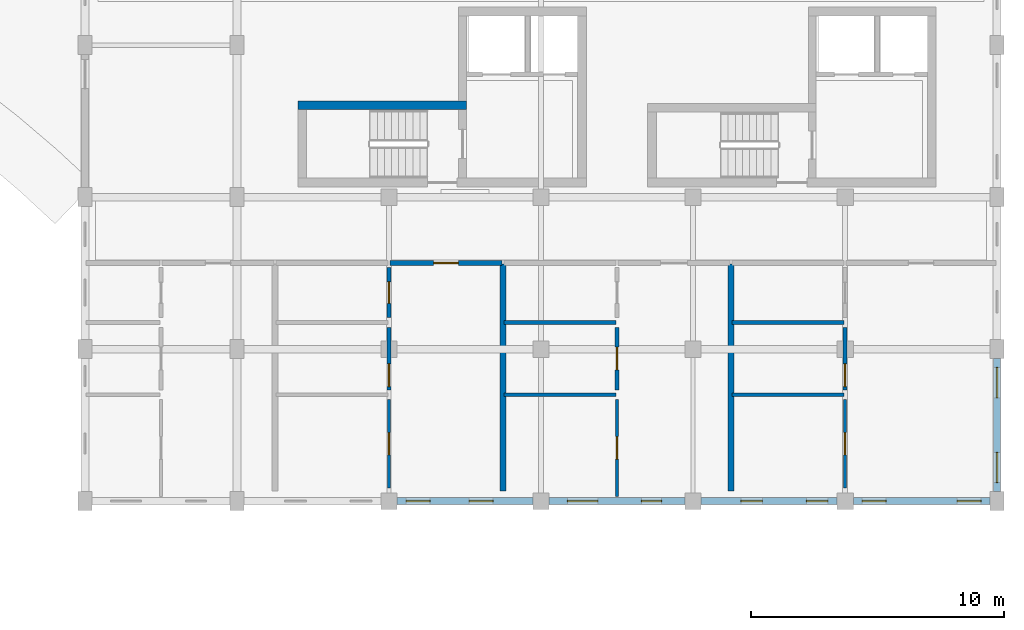
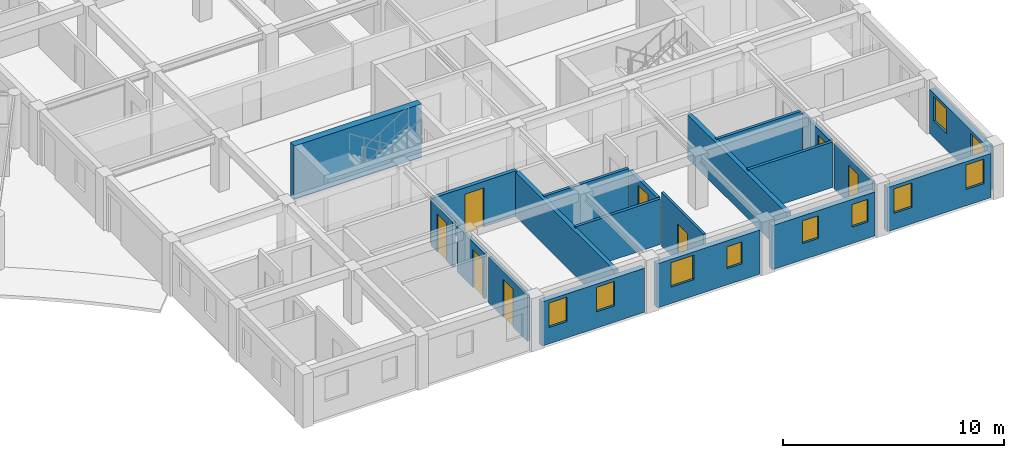
# One storey, part 78 of 100: 20 walls, 10 windows, 8 doors, 18 openings.
"""IFC4 building model written with IfcOpenShell, lengths in metres."""

from ifc_helpers import new_model, si_unit, direction, frame, frame_2d, origin, place, context, subcontext, project, spatial, rectangle, extrude, material, layer, layer_set, type_object, element, fill, save


model = new_model("IFC4")

# Units and contexts
model_context = context("Model", 3, precision=1e-05, world=origin(), true_north=direction((0.0, 1.0)))
body_context = subcontext(model_context, "Body", "Model", "MODEL_VIEW")
ifc_project = project(units=[si_unit("LENGTHUNIT", "METRE"), si_unit("AREAUNIT", "SQUARE_METRE"), si_unit("VOLUMEUNIT", "CUBIC_METRE"), si_unit("PLANEANGLEUNIT", "RADIAN"), si_unit("MASSUNIT", "GRAM", prefix="KILO"), si_unit("POWERUNIT", "WATT"), si_unit("THERMODYNAMICTEMPERATUREUNIT", "KELVIN")], contexts=[model_context])

# Site, building, storey
site_placement = place(None, origin())
site = spatial("IfcSite", under=ifc_project, at=site_placement, CompositionType="ELEMENT")
building_placement = place(site_placement, origin())
building = spatial("IfcBuilding", under=site, at=building_placement, Name="Ruvembo Vaulted Housing Court", CompositionType="ELEMENT")
storey_placement = place(building_placement, frame((0.0, 0.0, 14.10009765625)))
storey = spatial("IfcBuildingStorey", under=building, at=storey_placement, Name="L04", CompositionType="ELEMENT", Elevation=14.10009765625)

# Wall
ifc_material_1 = material(Name="Concrete C35/45", Category="concrete")
ifc_layer_1 = layer(ifc_material_1, 0.35009765625, Name="Concrete C35/45")
ifc_layer_set_1 = layer_set([ifc_layer_1], Name="Concrete C35/45")
wall_type_1 = type_object("IfcWallType", Name="WL-CORE-350", PredefinedType="SHEAR", material=ifc_layer_set_1)
wall_1_placement = place(storey_placement, frame((165.050048828125, 87.625, 0.0), z_axis=(0.0, 0.0, 1.0), x_axis=(-1.0, 0.0, 0.0)))
element("IfcWall", 1, at=wall_1_placement, inside=storey, type_object=wall_type_1, Name="Core D1 L04 Stair North Shear Wall", PredefinedType="SHEAR", context=body_context, shape_type="SweptSolid", body=[
    extrude(rectangle(XDim=6.650146484375, YDim=0.35009765625, at=frame_2d((3.3251953125, 0.0))), origin(), (0.0, 0.0, 1.0), 2.949951171875),
])

# Wall, opening, door
ifc_material_2 = material(Name="Concrete Blockwork 190", Category="masonry")
ifc_layer_2 = layer(ifc_material_2, 0.18994140625, Name="Concrete Blockwork 190")
ifc_layer_set_2 = layer_set([ifc_layer_2], Name="Concrete Blockwork 190")
wall_type_2 = type_object("IfcWallType", Name="WL-CORR-190", PredefinedType="SOLIDWALL", material=ifc_layer_set_2)
wall_2_placement = place(storey_placement, frame((162.0400390625, 81.39990234375, 0.0), z_axis=(0.0, 0.0, 1.0), x_axis=(1.0, 0.0, 0.0)))
wall_2 = element("IfcWall", 2, at=wall_2_placement, inside=storey, type_object=wall_type_2, Name="L04 Flat D-L04-S2 Entrance WL-INT-L04-01247", PredefinedType="SOLIDWALL", context=body_context, shape_type="SweptSolid", body=[
    extrude(rectangle(XDim=4.419921875, YDim=0.18994140625, at=frame_2d((2.2099609375, 0.0))), origin(), (0.0, 0.0, 1.0), 2.5078125),
])
opening_1_placement = place(wall_2_placement, frame((1.719970703125, 0.0, 0.0)))
opening_1 = element("IfcOpeningElement", 3, at=opening_1_placement, cuts=wall_2, Name="Opening FD2", PredefinedType="OPENING", context=body_context, shape_type="SweptSolid", body=[
    extrude(rectangle(XDim=0.97998046875, YDim=2.14990234375, at=frame_2d((0.489990234375, 1.074951171875))), frame((0.0, 0.10498046875, 0.0), z_axis=(0.0, -1.0, 0.0), x_axis=(1.0, 0.0, 0.0)), (0.0, 0.0, 1.0), 0.2099609375),
])
ifc_material_3 = material(Name="FSC Hardwood and Engineered Timber", Category="wood")
door_type_1 = type_object("IfcDoorType", Name="DR-FLAT-0980x2150", OperationType="NOTDEFINED", PredefinedType="DOOR", material=ifc_material_3)
door_1_placement = place(opening_1_placement, origin())
door_1 = element("IfcDoor", 4, at=door_1_placement, inside=storey, type_object=door_type_1, Name="L04 Flat D-L04-S2 Entrance Door DR-INT-L04-00694", OperationType="SINGLE_SWING_RIGHT", OverallHeight=2.14990234375, OverallWidth=0.97998046875, PredefinedType="DOOR", context=body_context, shape_type="SweptSolid", body=[
    extrude(rectangle(XDim=0.97998046875, YDim=2.14990234375, at=frame_2d((0.489990234375, 1.074951171875))), frame((0.0, 0.02490234375, 0.0), z_axis=(0.0, -1.0, 0.0), x_axis=(1.0, 0.0, 0.0)), (0.0, 0.0, 1.0), 0.050048828125),
])
fill(opening_1, door_1)

# Walls
ifc_material_4 = material(Name="Acoustic Masonry Demising 220", Category="masonry")
ifc_layer_3 = layer(ifc_material_4, 0.219970703125, Name="Acoustic Masonry Demising 220")
ifc_layer_set_3 = layer_set([ifc_layer_3], Name="Acoustic Masonry Demising 220")
wall_type_3 = type_object("IfcWallType", Name="WL-DEM-200", PredefinedType="SOLIDWALL", material=ifc_layer_set_3)
for number, where, z_axis, x_axis, name in (
    (5, (166.5, 72.389892578125, 0.0), (0.0, 0.0, 1.0), (0.0, 1.0, 0.0), "L04 Demising D-L04-S2 WL-INT-L04-01245"),
    (6, (175.5, 72.389892578125, 0.0), (0.0, 0.0, 1.0), (0.0, 1.0, 0.0), "L04 Demising D-L04-S3 WL-INT-L04-01253"),
):
    element("IfcWall", number, at=place(storey_placement, frame(where, z_axis=z_axis, x_axis=x_axis)), inside=storey, type_object=wall_type_3, Name=name, PredefinedType="SOLIDWALL", context=body_context, shape_type="SweptSolid", body=[
        extrude(rectangle(XDim=8.97021484375, YDim=0.219970703125, at=frame_2d((4.485107421875, 0.0))), origin(), (0.0, 0.0, 1.0), 2.431884765625),
    ])

# Wall, openings, windows
ifc_material_5 = material(Name="Rendered Masonry 285", Category="masonry")
ifc_layer_4 = layer(ifc_material_5, 0.284912109375, Name="Rendered Masonry 285")
ifc_layer_set_4 = layer_set([ifc_layer_4], Name="Rendered Masonry 285")
wall_type_4 = type_object("IfcWallType", Name="WL-EXT-285", PredefinedType="STANDARD", material=ifc_layer_set_4)
wall_3_placement = place(storey_placement, frame((162.324951171875, 72.0, 0.0), z_axis=(0.0, 0.0, 1.0), x_axis=(1.0, 0.0, 0.0)))
wall_3 = element("IfcWall", 7, at=wall_3_placement, inside=storey, type_object=wall_type_4, Name="Block D L04 Exterior Wall COURTYARD #3", PredefinedType="STANDARD", context=body_context, shape_type="SweptSolid", body=[
    extrude(rectangle(XDim=5.35009765625, YDim=0.284912109375, at=frame_2d((2.675048828125, 0.0))), origin(), (0.0, 0.0, 1.0), 2.431884765625),
])
opening_2_placement = place(wall_3_placement, frame((0.35009765625, 0.0, 0.89990234375)))
opening_2 = element("IfcOpeningElement", 8, at=opening_2_placement, cuts=wall_3, Name="Opening W07", PredefinedType="OPENING", context=body_context, shape_type="SweptSolid", body=[
    extrude(rectangle(XDim=0.949951171875, YDim=1.35009765625, at=frame_2d((0.47509765625, 0.675048828125))), frame((0.0, 0.15234375, 0.0), z_axis=(0.0, -1.0, 0.0), x_axis=(1.0, 0.0, 0.0)), (0.0, 0.0, 1.0), 0.304931640625),
])
opening_3_placement = place(wall_3_placement, frame((2.8349609375, 0.0, 0.89990234375)))
opening_3 = element("IfcOpeningElement", 9, at=opening_3_placement, cuts=wall_3, Name="Opening W07", PredefinedType="OPENING", context=body_context, shape_type="SweptSolid", body=[
    extrude(rectangle(XDim=0.949951171875, YDim=1.35009765625, at=frame_2d((0.47509765625, 0.675048828125))), frame((0.0, 0.15234375, 0.0), z_axis=(0.0, -1.0, 0.0), x_axis=(1.0, 0.0, 0.0)), (0.0, 0.0, 1.0), 0.304931640625),
])
ifc_material_6 = material(Name="Double Solar-Control Glazing in Aluminium Frame", Category="aluminium")
window_type_1 = type_object("IfcWindowType", Name="WIN-0950x1350", PartitioningType="SINGLE_PANEL", PredefinedType="WINDOW", material=ifc_material_6)
window_1_placement = place(opening_2_placement, origin())
window_1 = element("IfcWindow", 10, at=window_1_placement, inside=storey, type_object=window_type_1, Name="Block D L04 Window #1623", OverallHeight=1.35009765625, OverallWidth=0.949951171875, PartitioningType="SINGLE_PANEL", PredefinedType="WINDOW", context=body_context, shape_type="SweptSolid", body=[
    extrude(rectangle(XDim=0.949951171875, YDim=1.35009765625, at=frame_2d((0.47509765625, 0.675048828125))), frame((0.0, 0.030029296875, 0.0), z_axis=(0.0, -1.0, 0.0), x_axis=(1.0, 0.0, 0.0)), (0.0, 0.0, 1.0), 0.06005859375),
])
fill(opening_2, window_1)
window_2_placement = place(opening_3_placement, origin())
window_2 = element("IfcWindow", 11, at=window_2_placement, inside=storey, type_object=window_type_1, Name="Block D L04 Window #1624", OverallHeight=1.35009765625, OverallWidth=0.949951171875, PartitioningType="SINGLE_PANEL", PredefinedType="WINDOW", context=body_context, shape_type="SweptSolid", body=[
    extrude(rectangle(XDim=0.949951171875, YDim=1.35009765625, at=frame_2d((0.47509765625, 0.675048828125))), frame((0.0, 0.030029296875, 0.0), z_axis=(0.0, -1.0, 0.0), x_axis=(1.0, 0.0, 0.0)), (0.0, 0.0, 1.0), 0.06005859375),
])
fill(opening_3, window_2)

wall_4_placement = place(storey_placement, frame((168.324951171875, 72.0, 0.0), z_axis=(0.0, 0.0, 1.0), x_axis=(1.0, 0.0, 0.0)))
wall_4 = element("IfcWall", 12, at=wall_4_placement, inside=storey, type_object=wall_type_4, Name="Block D L04 Exterior Wall COURTYARD #4", PredefinedType="STANDARD", context=body_context, shape_type="SweptSolid", body=[
    extrude(rectangle(XDim=5.35009765625, YDim=0.284912109375, at=frame_2d((2.675048828125, 0.0))), origin(), (0.0, 0.0, 1.0), 2.431884765625),
])
opening_4_placement = place(wall_4_placement, frame((0.717529296875, 0.0, 0.89990234375)))
opening_4 = element("IfcOpeningElement", 13, at=opening_4_placement, cuts=wall_4, Name="Opening W12", PredefinedType="OPENING", context=body_context, shape_type="SweptSolid", body=[
    extrude(rectangle(XDim=1.199951171875, YDim=1.35009765625, at=frame_2d((0.60009765625, 0.675048828125))), frame((0.0, 0.15234375, 0.0), z_axis=(0.0, -1.0, 0.0), x_axis=(1.0, 0.0, 0.0)), (0.0, 0.0, 1.0), 0.304931640625),
])
opening_5_placement = place(wall_4_placement, frame((3.632568359375, 0.0, 0.89990234375)))
opening_5 = element("IfcOpeningElement", 14, at=opening_5_placement, cuts=wall_4, Name="Opening W02", PredefinedType="OPENING", context=body_context, shape_type="SweptSolid", body=[
    extrude(rectangle(XDim=0.800048828125, YDim=1.199951171875, at=frame_2d((0.39990234375, 0.60009765625))), frame((0.0, 0.15234375, 0.0), z_axis=(0.0, -1.0, 0.0), x_axis=(1.0, 0.0, 0.0)), (0.0, 0.0, 1.0), 0.304931640625),
])
window_type_2 = type_object("IfcWindowType", Name="WIN-0800x1200", PartitioningType="SINGLE_PANEL", PredefinedType="WINDOW", material=ifc_material_6)
window_3_placement = place(opening_5_placement, origin())
window_3 = element("IfcWindow", 15, at=window_3_placement, inside=storey, type_object=window_type_2, Name="Block D L04 Window #1626", OverallHeight=1.199951171875, OverallWidth=0.800048828125, PartitioningType="SINGLE_PANEL", PredefinedType="WINDOW", context=body_context, shape_type="SweptSolid", body=[
    extrude(rectangle(XDim=0.800048828125, YDim=1.199951171875, at=frame_2d((0.39990234375, 0.60009765625))), frame((0.0, 0.030029296875, 0.0), z_axis=(0.0, -1.0, 0.0), x_axis=(1.0, 0.0, 0.0)), (0.0, 0.0, 1.0), 0.06005859375),
])
fill(opening_5, window_3)
window_type_3 = type_object("IfcWindowType", Name="WIN-1200x1350", PartitioningType="SINGLE_PANEL", PredefinedType="WINDOW", material=ifc_material_6)
window_4_placement = place(opening_4_placement, origin())
window_4 = element("IfcWindow", 16, at=window_4_placement, inside=storey, type_object=window_type_3, Name="Block D L04 Window #1625", OverallHeight=1.35009765625, OverallWidth=1.199951171875, PartitioningType="SINGLE_PANEL", PredefinedType="WINDOW", context=body_context, shape_type="SweptSolid", body=[
    extrude(rectangle(XDim=1.199951171875, YDim=1.35009765625, at=frame_2d((0.60009765625, 0.675048828125))), frame((0.0, 0.030029296875, 0.0), z_axis=(0.0, -1.0, 0.0), x_axis=(1.0, 0.0, 0.0)), (0.0, 0.0, 1.0), 0.06005859375),
])
fill(opening_4, window_4)

wall_5_placement = place(storey_placement, frame((174.324951171875, 72.0, 0.0), z_axis=(0.0, 0.0, 1.0), x_axis=(1.0, 0.0, 0.0)))
wall_5 = element("IfcWall", 17, at=wall_5_placement, inside=storey, type_object=wall_type_4, Name="Block D L04 Exterior Wall COURTYARD #5", PredefinedType="STANDARD", context=body_context, shape_type="SweptSolid", body=[
    extrude(rectangle(XDim=5.35009765625, YDim=0.284912109375, at=frame_2d((2.675048828125, 0.0))), origin(), (0.0, 0.0, 1.0), 2.431884765625),
])
opening_6_placement = place(wall_5_placement, frame((1.56494140625, 0.0, 0.89990234375)))
opening_6 = element("IfcOpeningElement", 18, at=opening_6_placement, cuts=wall_5, Name="Opening W03", PredefinedType="OPENING", context=body_context, shape_type="SweptSolid", body=[
    extrude(rectangle(XDim=0.85009765625, YDim=1.25, at=frame_2d((0.425048828125, 0.625))), frame((0.0, 0.15234375, 0.0), z_axis=(0.0, -1.0, 0.0), x_axis=(1.0, 0.0, 0.0)), (0.0, 0.0, 1.0), 0.304931640625),
])
opening_7_placement = place(wall_5_placement, frame((4.14990234375, 0.0, 0.89990234375)))
opening_7 = element("IfcOpeningElement", 19, at=opening_7_placement, cuts=wall_5, Name="Opening W03", PredefinedType="OPENING", context=body_context, shape_type="SweptSolid", body=[
    extrude(rectangle(XDim=0.85009765625, YDim=1.25, at=frame_2d((0.425048828125, 0.625))), frame((0.0, 0.15234375, 0.0), z_axis=(0.0, -1.0, 0.0), x_axis=(1.0, 0.0, 0.0)), (0.0, 0.0, 1.0), 0.304931640625),
])
window_type_4 = type_object("IfcWindowType", Name="WIN-0850x1250", PartitioningType="SINGLE_PANEL", PredefinedType="WINDOW", material=ifc_material_6)
window_5_placement = place(opening_6_placement, origin())
window_5 = element("IfcWindow", 20, at=window_5_placement, inside=storey, type_object=window_type_4, Name="Block D L04 Window #1627", OverallHeight=1.25, OverallWidth=0.85009765625, PartitioningType="SINGLE_PANEL", PredefinedType="WINDOW", context=body_context, shape_type="SweptSolid", body=[
    extrude(rectangle(XDim=0.85009765625, YDim=1.25, at=frame_2d((0.425048828125, 0.625))), frame((0.0, 0.030029296875, 0.0), z_axis=(0.0, -1.0, 0.0), x_axis=(1.0, 0.0, 0.0)), (0.0, 0.0, 1.0), 0.06005859375),
])
fill(opening_6, window_5)
window_6_placement = place(opening_7_placement, origin())
window_6 = element("IfcWindow", 21, at=window_6_placement, inside=storey, type_object=window_type_4, Name="Block D L04 Window #1628", OverallHeight=1.25, OverallWidth=0.85009765625, PartitioningType="SINGLE_PANEL", PredefinedType="WINDOW", context=body_context, shape_type="SweptSolid", body=[
    extrude(rectangle(XDim=0.85009765625, YDim=1.25, at=frame_2d((0.425048828125, 0.625))), frame((0.0, 0.030029296875, 0.0), z_axis=(0.0, -1.0, 0.0), x_axis=(1.0, 0.0, 0.0)), (0.0, 0.0, 1.0), 0.06005859375),
])
fill(opening_7, window_6)

wall_6_placement = place(storey_placement, frame((180.324951171875, 72.0, 0.0), z_axis=(0.0, 0.0, 1.0), x_axis=(1.0, 0.0, 0.0)))
wall_6 = element("IfcWall", 22, at=wall_6_placement, inside=storey, type_object=wall_type_4, Name="Block D L04 Exterior Wall COURTYARD #6", PredefinedType="STANDARD", context=body_context, shape_type="SweptSolid", body=[
    extrude(rectangle(XDim=5.400146484375, YDim=0.284912109375, at=frame_2d((2.7001953125, 0.0))), origin(), (0.0, 0.0, 1.0), 2.431884765625),
])
opening_8_placement = place(wall_6_placement, frame((0.35009765625, 0.0, 0.89990234375)))
opening_8 = element("IfcOpeningElement", 23, at=opening_8_placement, cuts=wall_6, Name="Opening W07", PredefinedType="OPENING", context=body_context, shape_type="SweptSolid", body=[
    extrude(rectangle(XDim=0.949951171875, YDim=1.35009765625, at=frame_2d((0.47509765625, 0.675048828125))), frame((0.0, 0.15234375, 0.0), z_axis=(0.0, -1.0, 0.0), x_axis=(1.0, 0.0, 0.0)), (0.0, 0.0, 1.0), 0.304931640625),
])
opening_9_placement = place(wall_6_placement, frame((4.10009765625, 0.0, 0.89990234375)))
opening_9 = element("IfcOpeningElement", 24, at=opening_9_placement, cuts=wall_6, Name="Opening W07", PredefinedType="OPENING", context=body_context, shape_type="SweptSolid", body=[
    extrude(rectangle(XDim=0.949951171875, YDim=1.35009765625, at=frame_2d((0.47509765625, 0.675048828125))), frame((0.0, 0.15234375, 0.0), z_axis=(0.0, -1.0, 0.0), x_axis=(1.0, 0.0, 0.0)), (0.0, 0.0, 1.0), 0.304931640625),
])
window_7_placement = place(opening_8_placement, origin())
window_7 = element("IfcWindow", 25, at=window_7_placement, inside=storey, type_object=window_type_1, Name="Block D L04 Window #1629", OverallHeight=1.35009765625, OverallWidth=0.949951171875, PartitioningType="SINGLE_PANEL", PredefinedType="WINDOW", context=body_context, shape_type="SweptSolid", body=[
    extrude(rectangle(XDim=0.949951171875, YDim=1.35009765625, at=frame_2d((0.47509765625, 0.675048828125))), frame((0.0, 0.030029296875, 0.0), z_axis=(0.0, -1.0, 0.0), x_axis=(1.0, 0.0, 0.0)), (0.0, 0.0, 1.0), 0.06005859375),
])
fill(opening_8, window_7)
window_8_placement = place(opening_9_placement, origin())
window_8 = element("IfcWindow", 26, at=window_8_placement, inside=storey, type_object=window_type_1, Name="Block D L04 Window #1630", OverallHeight=1.35009765625, OverallWidth=0.949951171875, PartitioningType="SINGLE_PANEL", PredefinedType="WINDOW", context=body_context, shape_type="SweptSolid", body=[
    extrude(rectangle(XDim=0.949951171875, YDim=1.35009765625, at=frame_2d((0.47509765625, 0.675048828125))), frame((0.0, 0.030029296875, 0.0), z_axis=(0.0, -1.0, 0.0), x_axis=(1.0, 0.0, 0.0)), (0.0, 0.0, 1.0), 0.06005859375),
])
fill(opening_9, window_8)

wall_7_placement = place(storey_placement, frame((186.0, 72.375, 0.0), z_axis=(0.0, 0.0, 1.0), x_axis=(0.0, 1.0, 0.0)))
wall_7 = element("IfcWall", 27, at=wall_7_placement, inside=storey, type_object=wall_type_4, Name="Block D L04 Exterior Wall EAST #1", PredefinedType="STANDARD", context=body_context, shape_type="SweptSolid", body=[
    extrude(rectangle(XDim=5.25, YDim=0.284912109375, at=frame_2d((2.625, 0.0))), origin(), (0.0, 0.0, 1.0), 2.431884765625),
])
opening_10_placement = place(wall_7_placement, frame((0.35009765625, 0.0, 0.89990234375)))
opening_10 = element("IfcOpeningElement", 28, at=opening_10_placement, cuts=wall_7, Name="Opening W12", PredefinedType="OPENING", context=body_context, shape_type="SweptSolid", body=[
    extrude(rectangle(XDim=1.199951171875, YDim=1.35009765625, at=frame_2d((0.60009765625, 0.675048828125))), frame((0.0, 0.15234375, 0.0), z_axis=(0.0, -1.0, 0.0), x_axis=(1.0, 0.0, 0.0)), (0.0, 0.0, 1.0), 0.304931640625),
])
opening_11_placement = place(wall_7_placement, frame((3.699951171875, 0.0, 0.89990234375)))
opening_11 = element("IfcOpeningElement", 29, at=opening_11_placement, cuts=wall_7, Name="Opening W12", PredefinedType="OPENING", context=body_context, shape_type="SweptSolid", body=[
    extrude(rectangle(XDim=1.199951171875, YDim=1.35009765625, at=frame_2d((0.60009765625, 0.675048828125))), frame((0.0, 0.15234375, 0.0), z_axis=(0.0, -1.0, 0.0), x_axis=(1.0, 0.0, 0.0)), (0.0, 0.0, 1.0), 0.304931640625),
])
window_9_placement = place(opening_10_placement, origin())
window_9 = element("IfcWindow", 30, at=window_9_placement, inside=storey, type_object=window_type_3, Name="Block D L04 Window #1631", OverallHeight=1.35009765625, OverallWidth=1.199951171875, PartitioningType="SINGLE_PANEL", PredefinedType="WINDOW", context=body_context, shape_type="SweptSolid", body=[
    extrude(rectangle(XDim=1.199951171875, YDim=1.35009765625, at=frame_2d((0.60009765625, 0.675048828125))), frame((0.0, 0.030029296875, 0.0), z_axis=(0.0, -1.0, 0.0), x_axis=(1.0, 0.0, 0.0)), (0.0, 0.0, 1.0), 0.06005859375),
])
fill(opening_10, window_9)
window_10_placement = place(opening_11_placement, origin())
window_10 = element("IfcWindow", 31, at=window_10_placement, inside=storey, type_object=window_type_3, Name="Block D L04 Window #1632", OverallHeight=1.35009765625, OverallWidth=1.199951171875, PartitioningType="SINGLE_PANEL", PredefinedType="WINDOW", context=body_context, shape_type="SweptSolid", body=[
    extrude(rectangle(XDim=1.199951171875, YDim=1.35009765625, at=frame_2d((0.60009765625, 0.675048828125))), frame((0.0, 0.030029296875, 0.0), z_axis=(0.0, -1.0, 0.0), x_axis=(1.0, 0.0, 0.0)), (0.0, 0.0, 1.0), 0.06005859375),
])
fill(opening_11, window_10)

# Wall, opening, door
ifc_material_7 = material(Name="Plasterboard Stud Partition 125", Category="gypsum")
ifc_layer_5 = layer(ifc_material_7, 0.125, Name="Plasterboard Stud Partition 125")
ifc_layer_set_5 = layer_set([ifc_layer_5], Name="Plasterboard Stud Partition 125")
wall_type_5 = type_object("IfcWallType", Name="WL-PART-125", PredefinedType="PARTITIONING", material=ifc_layer_set_5)
wall_8_placement = place(storey_placement, frame((171.0, 72.18994140625, 0.0), z_axis=(0.0, 0.0, 1.0), x_axis=(0.0, 1.0, 0.0)))
wall_8 = element("IfcWall", 32, at=wall_8_placement, inside=storey, type_object=wall_type_5, Name="L04 Flat D-L04-S3 Bedroom 1 WL-INT-L04-01256", PredefinedType="PARTITIONING", context=body_context, shape_type="SweptSolid", body=[
    extrude(rectangle(XDim=3.820068359375, YDim=0.125, at=frame_2d((1.91015625, 0.0))), origin(), (0.0, 0.0, 1.0), 2.949951171875),
])
opening_12_placement = place(wall_8_placement, frame((1.469970703125, 0.0, 0.0)))
opening_12 = element("IfcOpeningElement", 33, at=opening_12_placement, cuts=wall_8, Name="Opening ID3", PredefinedType="OPENING", context=body_context, shape_type="SweptSolid", body=[
    extrude(rectangle(XDim=0.8798828125, YDim=2.10009765625, at=frame_2d((0.43994140625, 1.050048828125))), frame((0.0, 0.072509765625, 0.0), z_axis=(0.0, -1.0, 0.0), x_axis=(1.0, 0.0, 0.0)), (0.0, 0.0, 1.0), 0.14501953125),
])
door_type_2 = type_object("IfcDoorType", Name="DR-ROOM-0880x2100", OperationType="NOTDEFINED", PredefinedType="DOOR", material=ifc_material_3)
door_2_placement = place(opening_12_placement, origin())
door_2 = element("IfcDoor", 34, at=door_2_placement, inside=storey, type_object=door_type_2, Name="L04 Flat D-L04-S3 Bedroom 1 Door DR-INT-L04-00699", OperationType="SINGLE_SWING_LEFT", OverallHeight=2.10009765625, OverallWidth=0.8798828125, PredefinedType="DOOR", context=body_context, shape_type="SweptSolid", body=[
    extrude(rectangle(XDim=0.8798828125, YDim=2.10009765625, at=frame_2d((0.43994140625, 1.050048828125))), frame((0.0, 0.02490234375, 0.0), z_axis=(0.0, -1.0, 0.0), x_axis=(1.0, 0.0, 0.0)), (0.0, 0.0, 1.0), 0.050048828125),
])
fill(opening_12, door_2)

ifc_material_8 = material(Name="Acoustic Stud Partition 135", Category="gypsum")
ifc_layer_6 = layer(ifc_material_8, 0.135009765625, Name="Acoustic Stud Partition 135")
ifc_layer_set_6 = layer_set([ifc_layer_6], Name="Acoustic Stud Partition 135")
wall_type_6 = type_object("IfcWallType", Name="WL-PART-135", PredefinedType="PARTITIONING", material=ifc_layer_set_6)
wall_9_placement = place(storey_placement, frame((162.0, 72.510009765625, 0.0), z_axis=(0.0, 0.0, 1.0), x_axis=(0.0, 1.0, 0.0)))
wall_9 = element("IfcWall", 35, at=wall_9_placement, inside=storey, type_object=wall_type_6, Name="L04 Flat D-L04-S2 Bedroom 1 WL-INT-L04-01248", PredefinedType="PARTITIONING", context=body_context, shape_type="SweptSolid", body=[
    extrude(rectangle(XDim=3.5, YDim=0.135009765625, at=frame_2d((1.75, 0.0))), origin(), (0.0, 0.0, 1.0), 2.5478515625),
])
opening_13_placement = place(wall_9_placement, frame((1.31005859375, 0.0, 0.0)))
opening_13 = element("IfcOpeningElement", 36, at=opening_13_placement, cuts=wall_9, Name="Opening ID3", PredefinedType="OPENING", context=body_context, shape_type="SweptSolid", body=[
    extrude(rectangle(XDim=0.8798828125, YDim=2.10009765625, at=frame_2d((0.43994140625, 1.050048828125))), frame((0.0, 0.077392578125, 0.0), z_axis=(0.0, -1.0, 0.0), x_axis=(1.0, 0.0, 0.0)), (0.0, 0.0, 1.0), 0.155029296875),
])
door_3_placement = place(opening_13_placement, origin())
door_3 = element("IfcDoor", 37, at=door_3_placement, inside=storey, type_object=door_type_2, Name="L04 Flat D-L04-S2 Bedroom 1 Door DR-INT-L04-00695", OperationType="SINGLE_SWING_LEFT", OverallHeight=2.10009765625, OverallWidth=0.8798828125, PredefinedType="DOOR", context=body_context, shape_type="SweptSolid", body=[
    extrude(rectangle(XDim=0.8798828125, YDim=2.10009765625, at=frame_2d((0.43994140625, 1.050048828125))), frame((0.0, 0.02490234375, 0.0), z_axis=(0.0, -1.0, 0.0), x_axis=(1.0, 0.0, 0.0)), (0.0, 0.0, 1.0), 0.050048828125),
])
fill(opening_13, door_3)

wall_10_placement = place(storey_placement, frame((180.0, 72.510009765625, 0.0), z_axis=(0.0, 0.0, 1.0), x_axis=(0.0, 1.0, 0.0)))
wall_10 = element("IfcWall", 38, at=wall_10_placement, inside=storey, type_object=wall_type_6, Name="L04 Flat D-L04-S4 Bedroom 1 WL-INT-L04-01263", PredefinedType="PARTITIONING", context=body_context, shape_type="SweptSolid", body=[
    extrude(rectangle(XDim=3.5, YDim=0.135009765625, at=frame_2d((1.75, 0.0))), origin(), (0.0, 0.0, 1.0), 2.5078125),
])
opening_14_placement = place(wall_10_placement, frame((1.31005859375, 0.0, 0.0)))
opening_14 = element("IfcOpeningElement", 39, at=opening_14_placement, cuts=wall_10, Name="Opening ID3", PredefinedType="OPENING", context=body_context, shape_type="SweptSolid", body=[
    extrude(rectangle(XDim=0.8798828125, YDim=2.10009765625, at=frame_2d((0.43994140625, 1.050048828125))), frame((0.0, 0.077392578125, 0.0), z_axis=(0.0, -1.0, 0.0), x_axis=(1.0, 0.0, 0.0)), (0.0, 0.0, 1.0), 0.155029296875),
])
door_4_placement = place(opening_14_placement, origin())
door_4 = element("IfcDoor", 40, at=door_4_placement, inside=storey, type_object=door_type_2, Name="L04 Flat D-L04-S4 Bedroom 1 Door DR-INT-L04-00703", OperationType="SINGLE_SWING_LEFT", OverallHeight=2.10009765625, OverallWidth=0.8798828125, PredefinedType="DOOR", context=body_context, shape_type="SweptSolid", body=[
    extrude(rectangle(XDim=0.8798828125, YDim=2.10009765625, at=frame_2d((0.43994140625, 1.050048828125))), frame((0.0, 0.02490234375, 0.0), z_axis=(0.0, -1.0, 0.0), x_axis=(1.0, 0.0, 0.0)), (0.0, 0.0, 1.0), 0.050048828125),
])
fill(opening_14, door_4)

ifc_material_9 = material(Name="Moisture-Resistant Wet Partition 150", Category="gypsum")
ifc_layer_7 = layer(ifc_material_9, 0.14990234375, Name="Moisture-Resistant Wet Partition 150")
ifc_layer_set_7 = layer_set([ifc_layer_7], Name="Moisture-Resistant Wet Partition 150")
wall_type_7 = type_object("IfcWallType", Name="WL-PART-150", PredefinedType="PARTITIONING", material=ifc_layer_set_7)
wall_11_placement = place(storey_placement, frame((162.0, 79.239990234375, 0.0), z_axis=(0.0, 0.0, 1.0), x_axis=(0.0, 1.0, 0.0)))
wall_11 = element("IfcWall", 41, at=wall_11_placement, inside=storey, type_object=wall_type_7, Name="L04 Flat D-L04-S2 Bathroom WL-INT-L04-01250", PredefinedType="PARTITIONING", context=body_context, shape_type="SweptSolid", body=[
    extrude(rectangle(XDim=1.969970703125, YDim=0.14990234375, at=frame_2d((0.98486328125, 0.0))), origin(), (0.0, 0.0, 1.0), 2.5078125),
])
opening_15_placement = place(wall_11_placement, frame((0.56005859375, 0.0, 0.0)))
opening_15 = element("IfcOpeningElement", 42, at=opening_15_placement, cuts=wall_11, Name="Opening ID2", PredefinedType="OPENING", context=body_context, shape_type="SweptSolid", body=[
    extrude(rectangle(XDim=0.85009765625, YDim=2.10009765625, at=frame_2d((0.425048828125, 1.050048828125))), frame((0.0, 0.0849609375, 0.0), z_axis=(0.0, -1.0, 0.0), x_axis=(1.0, 0.0, 0.0)), (0.0, 0.0, 1.0), 0.169921875),
])
door_type_3 = type_object("IfcDoorType", Name="DR-WET-0850x2100", OperationType="NOTDEFINED", PredefinedType="DOOR", material=ifc_material_3)
door_5_placement = place(opening_15_placement, origin())
door_5 = element("IfcDoor", 43, at=door_5_placement, inside=storey, type_object=door_type_3, Name="L04 Flat D-L04-S2 Bathroom Door DR-INT-L04-00697", OperationType="SINGLE_SWING_LEFT", OverallHeight=2.10009765625, OverallWidth=0.85009765625, PredefinedType="DOOR", context=body_context, shape_type="SweptSolid", body=[
    extrude(rectangle(XDim=0.85009765625, YDim=2.10009765625, at=frame_2d((0.425048828125, 1.050048828125))), frame((0.0, 0.02490234375, 0.0), z_axis=(0.0, -1.0, 0.0), x_axis=(1.0, 0.0, 0.0)), (0.0, 0.0, 1.0), 0.050048828125),
])
fill(opening_15, door_5)

# Walls
wall_12_placement = place(storey_placement, frame((166.5400390625, 76.199951171875, 0.0), z_axis=(0.0, 0.0, 1.0), x_axis=(1.0, 0.0, 0.0)))
element("IfcWall", 44, at=wall_12_placement, inside=storey, type_object=wall_type_7, Name="L04 Flat D-L04-S3 Wet Wall 1 WL-INT-L04-01259", PredefinedType="PARTITIONING", context=body_context, shape_type="SweptSolid", body=[
    extrude(rectangle(XDim=4.419921875, YDim=0.14990234375, at=frame_2d((2.2099609375, 0.0))), origin(), (0.0, 0.0, 1.0), 2.5078125),
])
wall_13_placement = place(storey_placement, frame((166.5400390625, 79.050048828125, 0.0), z_axis=(0.0, 0.0, 1.0), x_axis=(1.0, 0.0, 0.0)))
element("IfcWall", 45, at=wall_13_placement, inside=storey, type_object=wall_type_7, Name="L04 Flat D-L04-S3 Wet Wall 2 WL-INT-L04-01260", PredefinedType="PARTITIONING", context=body_context, shape_type="SweptSolid", body=[
    extrude(rectangle(XDim=4.419921875, YDim=0.14990234375, at=frame_2d((2.2099609375, 0.0))), origin(), (0.0, 0.0, 1.0), 2.4580078125),
])
wall_14_placement = place(storey_placement, frame((175.5400390625, 76.199951171875, 0.0), z_axis=(0.0, 0.0, 1.0), x_axis=(1.0, 0.0, 0.0)))
element("IfcWall", 46, at=wall_14_placement, inside=storey, type_object=wall_type_7, Name="L04 Flat D-L04-S4 Wet Wall 1 WL-INT-L04-01266", PredefinedType="PARTITIONING", context=body_context, shape_type="SweptSolid", body=[
    extrude(rectangle(XDim=4.419921875, YDim=0.14990234375, at=frame_2d((2.2099609375, 0.0))), origin(), (0.0, 0.0, 1.0), 2.5078125),
])
wall_15_placement = place(storey_placement, frame((175.5400390625, 79.050048828125, 0.0), z_axis=(0.0, 0.0, 1.0), x_axis=(1.0, 0.0, 0.0)))
element("IfcWall", 47, at=wall_15_placement, inside=storey, type_object=wall_type_7, Name="L04 Flat D-L04-S4 Wet Wall 2 WL-INT-L04-01267", PredefinedType="PARTITIONING", context=body_context, shape_type="SweptSolid", body=[
    extrude(rectangle(XDim=4.419921875, YDim=0.14990234375, at=frame_2d((2.2099609375, 0.0))), origin(), (0.0, 0.0, 1.0), 2.4580078125),
])

# Wall, opening, door
ifc_material_10 = material(Name="Acoustic Service Chase Wall 160", Category="gypsum")
ifc_layer_8 = layer(ifc_material_10, 0.159912109375, Name="Acoustic Service Chase Wall 160")
ifc_layer_set_8 = layer_set([ifc_layer_8], Name="Acoustic Service Chase Wall 160")
wall_type_8 = type_object("IfcWallType", Name="WL-PLUMB-160", PredefinedType="PLUMBINGWALL", material=ifc_layer_set_8)
wall_16_placement = place(storey_placement, frame((162.0, 76.389892578125, 0.0), z_axis=(0.0, 0.0, 1.0), x_axis=(0.0, 1.0, 0.0)))
wall_16 = element("IfcWall", 48, at=wall_16_placement, inside=storey, type_object=wall_type_8, Name="L04 Flat D-L04-S2 Kitchen WL-INT-L04-01249", PredefinedType="PLUMBINGWALL", context=body_context, shape_type="SweptSolid", body=[
    extrude(rectangle(XDim=2.47021484375, YDim=0.159912109375, at=frame_2d((1.235107421875, 0.0))), origin(), (0.0, 0.0, 1.0), 2.5078125),
])
opening_16_placement = place(wall_16_placement, frame((0.1298828125, 0.0, 0.0)))
opening_16 = element("IfcOpeningElement", 49, at=opening_16_placement, cuts=wall_16, Name="Opening ID1", PredefinedType="OPENING", context=body_context, shape_type="SweptSolid", body=[
    extrude(rectangle(XDim=0.89990234375, YDim=2.10009765625, at=frame_2d((0.449951171875, 1.050048828125))), frame((0.0, 0.08984375, 0.0), z_axis=(0.0, -1.0, 0.0), x_axis=(1.0, 0.0, 0.0)), (0.0, 0.0, 1.0), 0.179931640625),
])
door_type_4 = type_object("IfcDoorType", Name="DR-ROOM-0900x2100", OperationType="NOTDEFINED", PredefinedType="DOOR", material=ifc_material_3)
door_6_placement = place(opening_16_placement, origin())
door_6 = element("IfcDoor", 50, at=door_6_placement, inside=storey, type_object=door_type_4, Name="L04 Flat D-L04-S2 Kitchen Door DR-INT-L04-00696", OperationType="SINGLE_SWING_RIGHT", OverallHeight=2.10009765625, OverallWidth=0.89990234375, PredefinedType="DOOR", context=body_context, shape_type="SweptSolid", body=[
    extrude(rectangle(XDim=0.89990234375, YDim=2.10009765625, at=frame_2d((0.449951171875, 1.050048828125))), frame((0.0, 0.02490234375, 0.0), z_axis=(0.0, -1.0, 0.0), x_axis=(1.0, 0.0, 0.0)), (0.0, 0.0, 1.0), 0.050048828125),
])
fill(opening_16, door_6)

wall_17_placement = place(storey_placement, frame((171.0, 76.389892578125, 0.0), z_axis=(0.0, 0.0, 1.0), x_axis=(0.0, 1.0, 0.0)))
wall_17 = element("IfcWall", 51, at=wall_17_placement, inside=storey, type_object=wall_type_8, Name="L04 Flat D-L04-S3 Kitchen WL-INT-L04-01257", PredefinedType="PLUMBINGWALL", context=body_context, shape_type="SweptSolid", body=[
    extrude(rectangle(XDim=2.47021484375, YDim=0.159912109375, at=frame_2d((1.235107421875, 0.0))), origin(), (0.0, 0.0, 1.0), 2.431884765625),
])
opening_17_placement = place(wall_17_placement, frame((0.784912109375, 0.0, 0.0)))
opening_17 = element("IfcOpeningElement", 52, at=opening_17_placement, cuts=wall_17, Name="Opening ID1", PredefinedType="OPENING", context=body_context, shape_type="SweptSolid", body=[
    extrude(rectangle(XDim=0.89990234375, YDim=2.10009765625, at=frame_2d((0.449951171875, 1.050048828125))), frame((0.0, 0.08984375, 0.0), z_axis=(0.0, -1.0, 0.0), x_axis=(1.0, 0.0, 0.0)), (0.0, 0.0, 1.0), 0.179931640625),
])
door_7_placement = place(opening_17_placement, origin())
door_7 = element("IfcDoor", 53, at=door_7_placement, inside=storey, type_object=door_type_4, Name="L04 Flat D-L04-S3 Kitchen Door DR-INT-L04-00700", OperationType="SINGLE_SWING_RIGHT", OverallHeight=2.10009765625, OverallWidth=0.89990234375, PredefinedType="DOOR", context=body_context, shape_type="SweptSolid", body=[
    extrude(rectangle(XDim=0.89990234375, YDim=2.10009765625, at=frame_2d((0.449951171875, 1.050048828125))), frame((0.0, 0.02490234375, 0.0), z_axis=(0.0, -1.0, 0.0), x_axis=(1.0, 0.0, 0.0)), (0.0, 0.0, 1.0), 0.050048828125),
])
fill(opening_17, door_7)

wall_18_placement = place(storey_placement, frame((180.0, 76.389892578125, 0.0), z_axis=(0.0, 0.0, 1.0), x_axis=(0.0, 1.0, 0.0)))
wall_18 = element("IfcWall", 54, at=wall_18_placement, inside=storey, type_object=wall_type_8, Name="L04 Flat D-L04-S4 Kitchen WL-INT-L04-01264", PredefinedType="PLUMBINGWALL", context=body_context, shape_type="SweptSolid", body=[
    extrude(rectangle(XDim=2.47021484375, YDim=0.159912109375, at=frame_2d((1.235107421875, 0.0))), origin(), (0.0, 0.0, 1.0), 2.4580078125),
])
opening_18_placement = place(wall_18_placement, frame((0.1298828125, 0.0, 0.0)))
opening_18 = element("IfcOpeningElement", 55, at=opening_18_placement, cuts=wall_18, Name="Opening ID1", PredefinedType="OPENING", context=body_context, shape_type="SweptSolid", body=[
    extrude(rectangle(XDim=0.89990234375, YDim=2.10009765625, at=frame_2d((0.449951171875, 1.050048828125))), frame((0.0, 0.08984375, 0.0), z_axis=(0.0, -1.0, 0.0), x_axis=(1.0, 0.0, 0.0)), (0.0, 0.0, 1.0), 0.179931640625),
])
door_8_placement = place(opening_18_placement, origin())
door_8 = element("IfcDoor", 56, at=door_8_placement, inside=storey, type_object=door_type_4, Name="L04 Flat D-L04-S4 Kitchen Door DR-INT-L04-00704", OperationType="SINGLE_SWING_RIGHT", OverallHeight=2.10009765625, OverallWidth=0.89990234375, PredefinedType="DOOR", context=body_context, shape_type="SweptSolid", body=[
    extrude(rectangle(XDim=0.89990234375, YDim=2.10009765625, at=frame_2d((0.449951171875, 1.050048828125))), frame((0.0, 0.02490234375, 0.0), z_axis=(0.0, -1.0, 0.0), x_axis=(1.0, 0.0, 0.0)), (0.0, 0.0, 1.0), 0.050048828125),
])
fill(opening_18, door_8)

save(model, "model.ifc")
